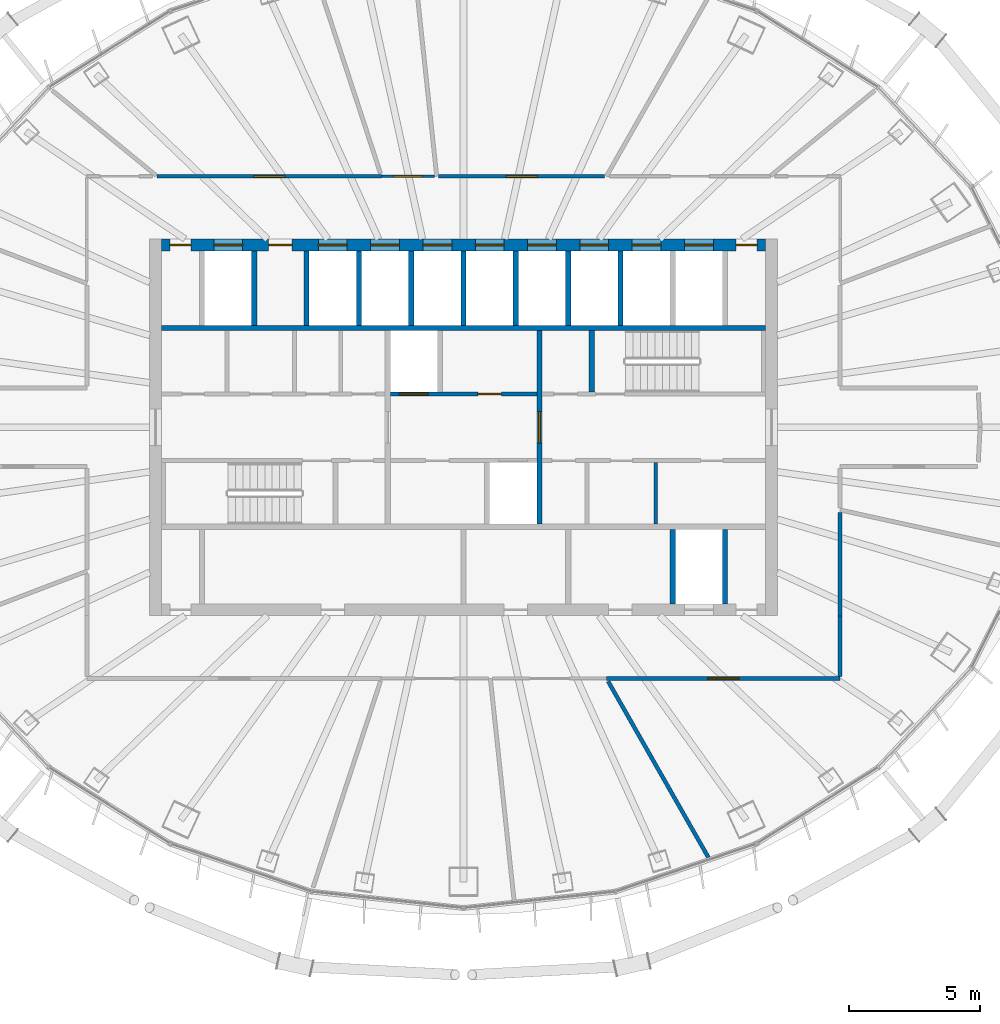
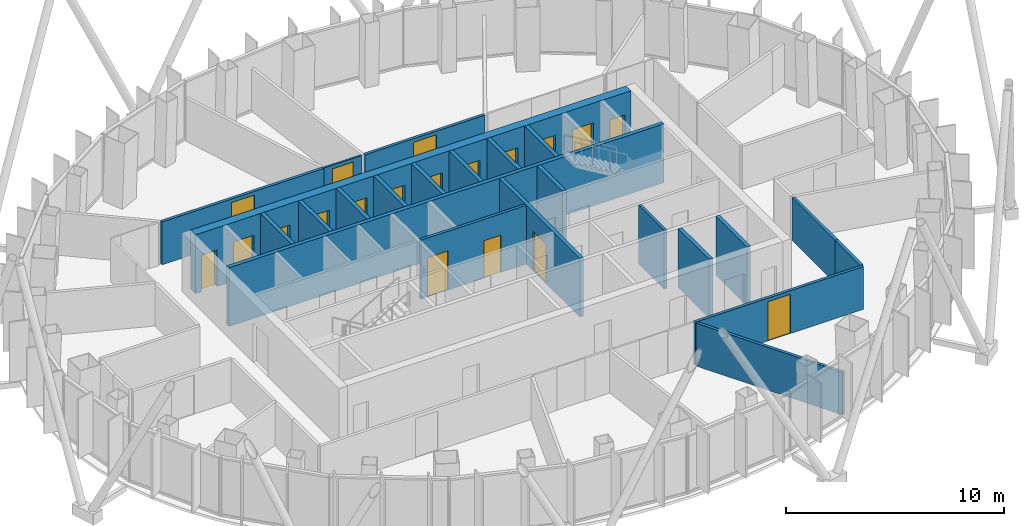
# One storey, part 10 of 18: 23 walls, 19 doors, 19 openings.
"""IFC4 building model written with IfcOpenShell, lengths in metres."""

from ifc_helpers import new_model, si_unit, direction, frame, frame_2d, origin, place, context, subcontext, project, spatial, rectangle, extrude, material, layer, layer_set, type_object, element, fill, save


model = new_model("IFC4")

# Units and contexts
model_context = context("Model", 3, precision=1e-05, world=origin(), true_north=direction((0.0, 1.0)))
body_context = subcontext(model_context, "Body", "Model", "MODEL_VIEW")
ifc_project = project(units=[si_unit("LENGTHUNIT", "METRE"), si_unit("AREAUNIT", "SQUARE_METRE"), si_unit("VOLUMEUNIT", "CUBIC_METRE"), si_unit("PLANEANGLEUNIT", "RADIAN"), si_unit("MASSUNIT", "GRAM", prefix="KILO")], contexts=[model_context])

# Site, building, storey
site_placement = place(None, origin())
site = spatial("IfcSite", under=ifc_project, at=site_placement, CompositionType="ELEMENT")
building_placement = place(site_placement, origin())
building = spatial("IfcBuilding", under=site, at=building_placement, Name="Siaravel Broadcast Tower", CompositionType="ELEMENT")
storey_placement = place(building_placement, frame((0.0, 0.0, 201.5)))
storey = spatial("IfcBuildingStorey", under=building, at=storey_placement, Name="L49", CompositionType="ELEMENT", Elevation=201.5)

# Wall
ifc_material_1 = material(Name="Concrete blockwork", Category="masonry")
ifc_layer_1 = layer(ifc_material_1, 0.14990234375)
ifc_layer_set_1 = layer_set([ifc_layer_1], Name="Concrete blockwork")
wall_type_1 = type_object("IfcWallType", Name="Core partition 150", PredefinedType="PARTITIONING", material=ifc_layer_set_1)
wall_1_placement = place(storey_placement, frame((7.35009765625, -3.699951171875, 0.0), z_axis=(0.0, 0.0, 1.0), x_axis=(0.0, 1.0, 0.0)))
element("IfcWall", 1, at=wall_1_placement, inside=storey, type_object=wall_type_1, Name="L49 core partition PSE1", PredefinedType="PARTITIONING", context=body_context, shape_type="SweptSolid", body=[
    extrude(rectangle(XDim=2.349853515625, YDim=0.14990234375, at=frame_2d((1.1748046875, 0.0))), origin(), (0.0, 0.0, 1.0), 3.300048828125),
])

# Wall, openings, doors
ifc_material_2 = material(Name="Concrete C60/75", Category="concrete")
ifc_layer_2 = layer(ifc_material_2, 0.449951171875)
ifc_layer_set_2 = layer_set([ifc_layer_2], Name="Concrete C60/75")
wall_type_2 = type_object("IfcWallType", Name="Core wall 450", PredefinedType="SHEAR", material=ifc_layer_set_2)
wall_2_placement = place(storey_placement, frame((-11.550048828125, 6.97509765625, 0.0), z_axis=(0.0, 0.0, 1.0), x_axis=(1.0, 0.0, 0.0)))
wall_2 = element("IfcWall", 2, at=wall_2_placement, inside=storey, type_object=wall_type_2, Name="L49 core wall ON", PredefinedType="SHEAR", context=body_context, shape_type="SweptSolid", body=[
    extrude(rectangle(XDim=23.10009765625, YDim=0.449951171875, at=frame_2d((11.550048828125, 0.0))), origin(), (0.0, 0.0, 1.0), 3.300048828125),
])
opening_1_placement = place(wall_2_placement, frame((2.0, 0.0, 0.0)))
opening_1 = element("IfcOpeningElement", 3, at=opening_1_placement, cuts=wall_2, Name="Opening LD-SV2-L49", PredefinedType="OPENING", context=body_context, shape_type="SweptSolid", body=[
    extrude(rectangle(XDim=1.10009765625, YDim=2.199951171875, at=frame_2d((0.550048828125, 1.10009765625))), frame((0.0, 0.23486328125, 0.0), z_axis=(0.0, -1.0, 0.0), x_axis=(1.0, 0.0, 0.0)), (0.0, 0.0, 1.0), 0.469970703125),
])
opening_2_placement = place(wall_2_placement, frame((6.0, 0.0, 0.0)))
opening_2 = element("IfcOpeningElement", 4, at=opening_2_placement, cuts=wall_2, Name="Opening LD-HP1-L49", PredefinedType="OPENING", context=body_context, shape_type="SweptSolid", body=[
    extrude(rectangle(XDim=1.10009765625, YDim=2.199951171875, at=frame_2d((0.550048828125, 1.10009765625))), frame((0.0, 0.23486328125, 0.0), z_axis=(0.0, -1.0, 0.0), x_axis=(1.0, 0.0, 0.0)), (0.0, 0.0, 1.0), 0.469970703125),
])
opening_3_placement = place(wall_2_placement, frame((8.0, 0.0, 0.0)))
opening_3 = element("IfcOpeningElement", 5, at=opening_3_placement, cuts=wall_2, Name="Opening LD-HP2-L49", PredefinedType="OPENING", context=body_context, shape_type="SweptSolid", body=[
    extrude(rectangle(XDim=1.10009765625, YDim=2.199951171875, at=frame_2d((0.550048828125, 1.10009765625))), frame((0.0, 0.23486328125, 0.0), z_axis=(0.0, -1.0, 0.0), x_axis=(1.0, 0.0, 0.0)), (0.0, 0.0, 1.0), 0.469970703125),
])
opening_4_placement = place(wall_2_placement, frame((10.0, 0.0, 0.0)))
opening_4 = element("IfcOpeningElement", 6, at=opening_4_placement, cuts=wall_2, Name="Opening LD-HP3-L49", PredefinedType="OPENING", context=body_context, shape_type="SweptSolid", body=[
    extrude(rectangle(XDim=1.10009765625, YDim=2.199951171875, at=frame_2d((0.550048828125, 1.10009765625))), frame((0.0, 0.23486328125, 0.0), z_axis=(0.0, -1.0, 0.0), x_axis=(1.0, 0.0, 0.0)), (0.0, 0.0, 1.0), 0.469970703125),
])
opening_5_placement = place(wall_2_placement, frame((12.0, 0.0, 0.0)))
opening_5 = element("IfcOpeningElement", 7, at=opening_5_placement, cuts=wall_2, Name="Opening LD-HP4-L49", PredefinedType="OPENING", context=body_context, shape_type="SweptSolid", body=[
    extrude(rectangle(XDim=1.10009765625, YDim=2.199951171875, at=frame_2d((0.550048828125, 1.10009765625))), frame((0.0, 0.23486328125, 0.0), z_axis=(0.0, -1.0, 0.0), x_axis=(1.0, 0.0, 0.0)), (0.0, 0.0, 1.0), 0.469970703125),
])
opening_6_placement = place(wall_2_placement, frame((14.0, 0.0, 0.0)))
opening_6 = element("IfcOpeningElement", 8, at=opening_6_placement, cuts=wall_2, Name="Opening LD-HP5-L49", PredefinedType="OPENING", context=body_context, shape_type="SweptSolid", body=[
    extrude(rectangle(XDim=1.10009765625, YDim=2.199951171875, at=frame_2d((0.550048828125, 1.10009765625))), frame((0.0, 0.23486328125, 0.0), z_axis=(0.0, -1.0, 0.0), x_axis=(1.0, 0.0, 0.0)), (0.0, 0.0, 1.0), 0.469970703125),
])
opening_7_placement = place(wall_2_placement, frame((16.0, 0.0, 0.0)))
opening_7 = element("IfcOpeningElement", 9, at=opening_7_placement, cuts=wall_2, Name="Opening LD-HP6-L49", PredefinedType="OPENING", context=body_context, shape_type="SweptSolid", body=[
    extrude(rectangle(XDim=1.10009765625, YDim=2.199951171875, at=frame_2d((0.550048828125, 1.10009765625))), frame((0.0, 0.23486328125, 0.0), z_axis=(0.0, -1.0, 0.0), x_axis=(1.0, 0.0, 0.0)), (0.0, 0.0, 1.0), 0.469970703125),
])
opening_8_placement = place(wall_2_placement, frame((18.0, 0.0, 0.0)))
opening_8 = element("IfcOpeningElement", 10, at=opening_8_placement, cuts=wall_2, Name="Opening LD-HP7-L49", PredefinedType="OPENING", context=body_context, shape_type="SweptSolid", body=[
    extrude(rectangle(XDim=1.10009765625, YDim=2.199951171875, at=frame_2d((0.550048828125, 1.10009765625))), frame((0.0, 0.23486328125, 0.0), z_axis=(0.0, -1.0, 0.0), x_axis=(1.0, 0.0, 0.0)), (0.0, 0.0, 1.0), 0.469970703125),
])
opening_9_placement = place(wall_2_placement, frame((20.0, 0.0, 0.0)))
opening_9 = element("IfcOpeningElement", 11, at=opening_9_placement, cuts=wall_2, Name="Opening LD-HP8-L49", PredefinedType="OPENING", context=body_context, shape_type="SweptSolid", body=[
    extrude(rectangle(XDim=1.10009765625, YDim=2.199951171875, at=frame_2d((0.550048828125, 1.10009765625))), frame((0.0, 0.23486328125, 0.0), z_axis=(0.0, -1.0, 0.0), x_axis=(1.0, 0.0, 0.0)), (0.0, 0.0, 1.0), 0.469970703125),
])
opening_10_placement = place(wall_2_placement, frame((4.10009765625, 0.0, 0.0)))
opening_10 = element("IfcOpeningElement", 12, at=opening_10_placement, cuts=wall_2, Name="Opening L49-DFN1", PredefinedType="OPENING", context=body_context, shape_type="SweptSolid", body=[
    extrude(rectangle(XDim=0.89990234375, YDim=2.10009765625, at=frame_2d((0.449951171875, 1.050048828125))), frame((0.0, 0.23486328125, 0.0), z_axis=(0.0, -1.0, 0.0), x_axis=(1.0, 0.0, 0.0)), (0.0, 0.0, 1.0), 0.469970703125),
])
opening_11_placement = place(wall_2_placement, frame((0.324951171875, 0.0, 0.0)))
opening_11 = element("IfcOpeningElement", 13, at=opening_11_placement, cuts=wall_2, Name="Opening L49-DRNW", PredefinedType="OPENING", context=body_context, shape_type="SweptSolid", body=[
    extrude(rectangle(XDim=0.800048828125, YDim=2.050048828125, at=frame_2d((0.39990234375, 1.02490234375))), frame((0.0, 0.23486328125, 0.0), z_axis=(0.0, -1.0, 0.0), x_axis=(1.0, 0.0, 0.0)), (0.0, 0.0, 1.0), 0.469970703125),
])
opening_12_placement = place(wall_2_placement, frame((21.97509765625, 0.0, 0.0)))
opening_12 = element("IfcOpeningElement", 14, at=opening_12_placement, cuts=wall_2, Name="Opening L49-DRNE", PredefinedType="OPENING", context=body_context, shape_type="SweptSolid", body=[
    extrude(rectangle(XDim=0.800048828125, YDim=2.050048828125, at=frame_2d((0.39990234375, 1.02490234375))), frame((0.0, 0.23486328125, 0.0), z_axis=(0.0, -1.0, 0.0), x_axis=(1.0, 0.0, 0.0)), (0.0, 0.0, 1.0), 0.469970703125),
])
ifc_material_3 = material(Name="Timber veneer", Category="wood")
door_type_1 = type_object("IfcDoorType", Name="Core room door 900", OperationType="SINGLE_SWING_LEFT", PredefinedType="DOOR", material=ifc_material_3)
door_1_placement = place(opening_10_placement, origin())
door_1 = element("IfcDoor", 15, at=door_1_placement, inside=storey, type_object=door_type_1, Name="L49 door DFN1", OperationType="SINGLE_SWING_LEFT", OverallHeight=2.10009765625, OverallWidth=0.89990234375, PredefinedType="DOOR", context=body_context, shape_type="SweptSolid", body=[
    extrude(rectangle(XDim=0.89990234375, YDim=2.10009765625, at=frame_2d((0.449951171875, 1.050048828125))), frame((0.0, 0.02490234375, 0.0), z_axis=(0.0, -1.0, 0.0), x_axis=(1.0, 0.0, 0.0)), (0.0, 0.0, 1.0), 0.050048828125),
])
fill(opening_10, door_1)
ifc_material_4 = material(Name="Stainless steel 316L", Category="steel")
door_type_2 = type_object("IfcDoorType", Name="Lift landing door 1100", OperationType="DOUBLE_DOOR_SLIDING", PredefinedType="DOOR", material=ifc_material_4)
door_2_placement = place(opening_2_placement, origin())
door_2 = element("IfcDoor", 16, at=door_2_placement, inside=storey, type_object=door_type_2, Name="Landing door HP1 L49", OperationType="DOUBLE_DOOR_SLIDING", OverallHeight=2.199951171875, OverallWidth=1.10009765625, PredefinedType="DOOR", context=body_context, shape_type="SweptSolid", body=[
    extrude(rectangle(XDim=1.10009765625, YDim=2.199951171875, at=frame_2d((0.550048828125, 1.10009765625))), frame((0.0, 0.02490234375, 0.0), z_axis=(0.0, -1.0, 0.0), x_axis=(1.0, 0.0, 0.0)), (0.0, 0.0, 1.0), 0.050048828125),
])
fill(opening_2, door_2)
door_3_placement = place(opening_3_placement, origin())
door_3 = element("IfcDoor", 17, at=door_3_placement, inside=storey, type_object=door_type_2, Name="Landing door HP2 L49", OperationType="DOUBLE_DOOR_SLIDING", OverallHeight=2.199951171875, OverallWidth=1.10009765625, PredefinedType="DOOR", context=body_context, shape_type="SweptSolid", body=[
    extrude(rectangle(XDim=1.10009765625, YDim=2.199951171875, at=frame_2d((0.550048828125, 1.10009765625))), frame((0.0, 0.02490234375, 0.0), z_axis=(0.0, -1.0, 0.0), x_axis=(1.0, 0.0, 0.0)), (0.0, 0.0, 1.0), 0.050048828125),
])
fill(opening_3, door_3)
door_4_placement = place(opening_4_placement, origin())
door_4 = element("IfcDoor", 18, at=door_4_placement, inside=storey, type_object=door_type_2, Name="Landing door HP3 L49", OperationType="DOUBLE_DOOR_SLIDING", OverallHeight=2.199951171875, OverallWidth=1.10009765625, PredefinedType="DOOR", context=body_context, shape_type="SweptSolid", body=[
    extrude(rectangle(XDim=1.10009765625, YDim=2.199951171875, at=frame_2d((0.550048828125, 1.10009765625))), frame((0.0, 0.02490234375, 0.0), z_axis=(0.0, -1.0, 0.0), x_axis=(1.0, 0.0, 0.0)), (0.0, 0.0, 1.0), 0.050048828125),
])
fill(opening_4, door_4)
door_5_placement = place(opening_5_placement, origin())
door_5 = element("IfcDoor", 19, at=door_5_placement, inside=storey, type_object=door_type_2, Name="Landing door HP4 L49", OperationType="DOUBLE_DOOR_SLIDING", OverallHeight=2.199951171875, OverallWidth=1.10009765625, PredefinedType="DOOR", context=body_context, shape_type="SweptSolid", body=[
    extrude(rectangle(XDim=1.10009765625, YDim=2.199951171875, at=frame_2d((0.550048828125, 1.10009765625))), frame((0.0, 0.02490234375, 0.0), z_axis=(0.0, -1.0, 0.0), x_axis=(1.0, 0.0, 0.0)), (0.0, 0.0, 1.0), 0.050048828125),
])
fill(opening_5, door_5)
door_6_placement = place(opening_6_placement, origin())
door_6 = element("IfcDoor", 20, at=door_6_placement, inside=storey, type_object=door_type_2, Name="Landing door HP5 L49", OperationType="DOUBLE_DOOR_SLIDING", OverallHeight=2.199951171875, OverallWidth=1.10009765625, PredefinedType="DOOR", context=body_context, shape_type="SweptSolid", body=[
    extrude(rectangle(XDim=1.10009765625, YDim=2.199951171875, at=frame_2d((0.550048828125, 1.10009765625))), frame((0.0, 0.02490234375, 0.0), z_axis=(0.0, -1.0, 0.0), x_axis=(1.0, 0.0, 0.0)), (0.0, 0.0, 1.0), 0.050048828125),
])
fill(opening_6, door_6)
door_7_placement = place(opening_7_placement, origin())
door_7 = element("IfcDoor", 21, at=door_7_placement, inside=storey, type_object=door_type_2, Name="Landing door HP6 L49", OperationType="DOUBLE_DOOR_SLIDING", OverallHeight=2.199951171875, OverallWidth=1.10009765625, PredefinedType="DOOR", context=body_context, shape_type="SweptSolid", body=[
    extrude(rectangle(XDim=1.10009765625, YDim=2.199951171875, at=frame_2d((0.550048828125, 1.10009765625))), frame((0.0, 0.02490234375, 0.0), z_axis=(0.0, -1.0, 0.0), x_axis=(1.0, 0.0, 0.0)), (0.0, 0.0, 1.0), 0.050048828125),
])
fill(opening_7, door_7)
door_8_placement = place(opening_8_placement, origin())
door_8 = element("IfcDoor", 22, at=door_8_placement, inside=storey, type_object=door_type_2, Name="Landing door HP7 L49", OperationType="DOUBLE_DOOR_SLIDING", OverallHeight=2.199951171875, OverallWidth=1.10009765625, PredefinedType="DOOR", context=body_context, shape_type="SweptSolid", body=[
    extrude(rectangle(XDim=1.10009765625, YDim=2.199951171875, at=frame_2d((0.550048828125, 1.10009765625))), frame((0.0, 0.02490234375, 0.0), z_axis=(0.0, -1.0, 0.0), x_axis=(1.0, 0.0, 0.0)), (0.0, 0.0, 1.0), 0.050048828125),
])
fill(opening_8, door_8)
door_9_placement = place(opening_9_placement, origin())
door_9 = element("IfcDoor", 23, at=door_9_placement, inside=storey, type_object=door_type_2, Name="Landing door HP8 L49", OperationType="DOUBLE_DOOR_SLIDING", OverallHeight=2.199951171875, OverallWidth=1.10009765625, PredefinedType="DOOR", context=body_context, shape_type="SweptSolid", body=[
    extrude(rectangle(XDim=1.10009765625, YDim=2.199951171875, at=frame_2d((0.550048828125, 1.10009765625))), frame((0.0, 0.02490234375, 0.0), z_axis=(0.0, -1.0, 0.0), x_axis=(1.0, 0.0, 0.0)), (0.0, 0.0, 1.0), 0.050048828125),
])
fill(opening_9, door_9)
ifc_material_5 = material(Name="Steel", Category="steel")
door_type_3 = type_object("IfcDoorType", Name="Riser door 800", OperationType="SINGLE_SWING_LEFT", PredefinedType="DOOR", material=ifc_material_5)
door_10_placement = place(opening_11_placement, origin())
door_10 = element("IfcDoor", 24, at=door_10_placement, inside=storey, type_object=door_type_3, Name="L49 door DRNW", OperationType="SINGLE_SWING_LEFT", OverallHeight=2.050048828125, OverallWidth=0.800048828125, PredefinedType="DOOR", context=body_context, shape_type="SweptSolid", body=[
    extrude(rectangle(XDim=0.800048828125, YDim=2.050048828125, at=frame_2d((0.39990234375, 1.02490234375))), frame((0.0, 0.02490234375, 0.0), z_axis=(0.0, -1.0, 0.0), x_axis=(1.0, 0.0, 0.0)), (0.0, 0.0, 1.0), 0.050048828125),
])
fill(opening_11, door_10)
door_11_placement = place(opening_12_placement, origin())
door_11 = element("IfcDoor", 25, at=door_11_placement, inside=storey, type_object=door_type_3, Name="L49 door DRNE", OperationType="SINGLE_SWING_LEFT", OverallHeight=2.050048828125, OverallWidth=0.800048828125, PredefinedType="DOOR", context=body_context, shape_type="SweptSolid", body=[
    extrude(rectangle(XDim=0.800048828125, YDim=2.050048828125, at=frame_2d((0.39990234375, 1.02490234375))), frame((0.0, 0.02490234375, 0.0), z_axis=(0.0, -1.0, 0.0), x_axis=(1.0, 0.0, 0.0)), (0.0, 0.0, 1.0), 0.050048828125),
])
fill(opening_12, door_11)
door_type_4 = type_object("IfcDoorType", Name="Service lift landing door 1100", OperationType="DOUBLE_DOOR_SLIDING", PredefinedType="DOOR", material=ifc_material_4)
door_12_placement = place(opening_1_placement, origin())
door_12 = element("IfcDoor", 26, at=door_12_placement, inside=storey, type_object=door_type_4, Name="Landing door SV2 L49", OperationType="DOUBLE_DOOR_SLIDING", OverallHeight=2.199951171875, OverallWidth=1.10009765625, PredefinedType="DOOR", context=body_context, shape_type="SweptSolid", body=[
    extrude(rectangle(XDim=1.10009765625, YDim=2.199951171875, at=frame_2d((0.550048828125, 1.10009765625))), frame((0.0, 0.02490234375, 0.0), z_axis=(0.0, -1.0, 0.0), x_axis=(1.0, 0.0, 0.0)), (0.0, 0.0, 1.0), 0.050048828125),
])
fill(opening_1, door_12)

# Wall, opening, door
ifc_material_6 = material(Name="Gypsum board partition", Category="gypsum")
ifc_layer_3 = layer(ifc_material_6, 0.14990234375)
ifc_layer_set_3 = layer_set([ifc_layer_3], Name="Gypsum board partition")
wall_type_3 = type_object("IfcWallType", Name="Corridor wall 150", PredefinedType="PARTITIONING", material=ifc_layer_set_3)
wall_3_placement = place(storey_placement, frame((5.465087890625, -9.60009765625, 0.0), z_axis=(0.0, 0.0, 1.0), x_axis=(1.0, 0.0, 0.0)))
wall_3 = element("IfcWall", 27, at=wall_3_placement, inside=storey, type_object=wall_type_3, Name="L49 partition 2", PredefinedType="PARTITIONING", context=body_context, shape_type="SweptSolid", body=[
    extrude(rectangle(XDim=8.934814453125, YDim=0.14990234375, at=frame_2d((4.46728515625, 0.0))), origin(), (0.0, 0.0, 1.0), 2.39990234375),
])
opening_13_placement = place(wall_3_placement, frame((3.867431640625, 0.0, 0.0)))
opening_13 = element("IfcOpeningElement", 28, at=opening_13_placement, cuts=wall_3, Name="Opening L49-007", PredefinedType="OPENING", context=body_context, shape_type="SweptSolid", body=[
    extrude(rectangle(XDim=1.199951171875, YDim=2.199951171875, at=frame_2d((0.60009765625, 1.10009765625))), frame((0.0, 0.0849609375, 0.0), z_axis=(0.0, -1.0, 0.0), x_axis=(1.0, 0.0, 0.0)), (0.0, 0.0, 1.0), 0.169921875),
])
door_type_5 = type_object("IfcDoorType", Name="Office double door 1200", OperationType="DOUBLE_DOOR_SINGLE_SWING", PredefinedType="DOOR", material=ifc_material_3)
door_13_placement = place(opening_13_placement, origin())
door_13 = element("IfcDoor", 29, at=door_13_placement, inside=storey, type_object=door_type_5, Name="L49 door to Open plan office", OperationType="DOUBLE_DOOR_SINGLE_SWING", OverallHeight=2.199951171875, OverallWidth=1.199951171875, PredefinedType="DOOR", context=body_context, shape_type="SweptSolid", body=[
    extrude(rectangle(XDim=1.199951171875, YDim=2.199951171875, at=frame_2d((0.60009765625, 1.10009765625))), frame((0.0, 0.02490234375, 0.0), z_axis=(0.0, -1.0, 0.0), x_axis=(1.0, 0.0, 0.0)), (0.0, 0.0, 1.0), 0.050048828125),
])
fill(opening_13, door_13)

wall_4_placement = place(storey_placement, frame((-3.140380859375, 9.60009765625, 0.0), z_axis=(0.0, 0.0, 1.0), x_axis=(-1.0, 0.0, 0.0)))
wall_4 = element("IfcWall", 30, at=wall_4_placement, inside=storey, type_object=wall_type_3, Name="L49 partition 5", PredefinedType="PARTITIONING", context=body_context, shape_type="SweptSolid", body=[
    extrude(rectangle(XDim=8.57958984375, YDim=0.14990234375, at=frame_2d((4.289794921875, 0.0))), origin(), (0.0, 0.0, 1.0), 2.39990234375),
])
opening_14_placement = place(wall_4_placement, frame((3.689697265625, 0.0, 0.0)))
opening_14 = element("IfcOpeningElement", 31, at=opening_14_placement, cuts=wall_4, Name="Opening L49-001", PredefinedType="OPENING", context=body_context, shape_type="SweptSolid", body=[
    extrude(rectangle(XDim=1.199951171875, YDim=2.199951171875, at=frame_2d((0.60009765625, 1.10009765625))), frame((0.0, 0.0849609375, 0.0), z_axis=(0.0, -1.0, 0.0), x_axis=(1.0, 0.0, 0.0)), (0.0, 0.0, 1.0), 0.169921875),
])
door_14_placement = place(opening_14_placement, origin())
door_14 = element("IfcDoor", 32, at=door_14_placement, inside=storey, type_object=door_type_5, Name="L49 door to Open plan office", OperationType="DOUBLE_DOOR_SINGLE_SWING", OverallHeight=2.199951171875, OverallWidth=1.199951171875, PredefinedType="DOOR", context=body_context, shape_type="SweptSolid", body=[
    extrude(rectangle(XDim=1.199951171875, YDim=2.199951171875, at=frame_2d((0.60009765625, 1.10009765625))), frame((0.0, 0.02490234375, 0.0), z_axis=(0.0, -1.0, 0.0), x_axis=(1.0, 0.0, 0.0)), (0.0, 0.0, 1.0), 0.050048828125),
])
fill(opening_14, door_14)

wall_5_placement = place(storey_placement, frame((5.39794921875, 9.60009765625, 0.0), z_axis=(0.0, 0.0, 1.0), x_axis=(-1.0, 0.0, 0.0)))
wall_5 = element("IfcWall", 33, at=wall_5_placement, inside=storey, type_object=wall_type_3, Name="L49 partition 11", PredefinedType="PARTITIONING", context=body_context, shape_type="SweptSolid", body=[
    extrude(rectangle(XDim=6.3466796875, YDim=0.14990234375, at=frame_2d((3.17333984375, 0.0))), origin(), (0.0, 0.0, 1.0), 2.39990234375),
])
opening_15_placement = place(wall_5_placement, frame((2.5732421875, 0.0, 0.0)))
opening_15 = element("IfcOpeningElement", 34, at=opening_15_placement, cuts=wall_5, Name="Opening L49-011", PredefinedType="OPENING", context=body_context, shape_type="SweptSolid", body=[
    extrude(rectangle(XDim=1.199951171875, YDim=2.199951171875, at=frame_2d((0.60009765625, 1.10009765625))), frame((0.0, 0.0849609375, 0.0), z_axis=(0.0, -1.0, 0.0), x_axis=(1.0, 0.0, 0.0)), (0.0, 0.0, 1.0), 0.169921875),
])
door_15_placement = place(opening_15_placement, origin())
door_15 = element("IfcDoor", 35, at=door_15_placement, inside=storey, type_object=door_type_5, Name="L49 door to Open plan office", OperationType="DOUBLE_DOOR_SINGLE_SWING", OverallHeight=2.199951171875, OverallWidth=1.199951171875, PredefinedType="DOOR", context=body_context, shape_type="SweptSolid", body=[
    extrude(rectangle(XDim=1.199951171875, YDim=2.199951171875, at=frame_2d((0.60009765625, 1.10009765625))), frame((0.0, 0.02490234375, 0.0), z_axis=(0.0, -1.0, 0.0), x_axis=(1.0, 0.0, 0.0)), (0.0, 0.0, 1.0), 0.050048828125),
])
fill(opening_15, door_15)

# Walls
wall_6_placement = place(storey_placement, frame((14.39990234375, -7.2119140625, 0.0), z_axis=(0.0, 0.0, 1.0), x_axis=(0.0, 1.0, 0.0)))
element("IfcWall", 36, at=wall_6_placement, inside=storey, type_object=wall_type_3, Name="L49 partition 24", PredefinedType="PARTITIONING", context=body_context, shape_type="SweptSolid", body=[
    extrude(rectangle(XDim=3.9560546875, YDim=0.14990234375, at=frame_2d((1.97802734375, 0.0))), origin(), (0.0, 0.0, 1.0), 2.39990234375),
])
wall_7_placement = place(storey_placement, frame((14.39990234375, -9.52294921875, 0.0), z_axis=(0.0, 0.0, 1.0), x_axis=(0.0, 1.0, 0.0)))
element("IfcWall", 37, at=wall_7_placement, inside=storey, type_object=wall_type_3, Name="L49 partition 32", PredefinedType="PARTITIONING", context=body_context, shape_type="SweptSolid", body=[
    extrude(rectangle(XDim=2.31005859375, YDim=0.14990234375, at=frame_2d((1.155029296875, 0.0))), origin(), (0.0, 0.0, 1.0), 2.39990234375),
])

# Wall, opening, door
ifc_material_7 = material(Name="Glazed aluminium partition", Category="aluminium")
ifc_layer_4 = layer(ifc_material_7, 0.10009765625)
ifc_layer_set_4 = layer_set([ifc_layer_4], Name="Glazed aluminium partition")
wall_type_4 = type_object("IfcWallType", Name="Glazed meeting room partition 100", PredefinedType="PARTITIONING", material=ifc_layer_set_4)
wall_8_placement = place(storey_placement, frame((-1.108154296875, 9.60009765625, 0.0), z_axis=(0.0, 0.0, 1.0), x_axis=(-1.0, 0.0, 0.0)))
wall_8 = element("IfcWall", 38, at=wall_8_placement, inside=storey, type_object=wall_type_4, Name="L49 partition 34", PredefinedType="PARTITIONING", context=body_context, shape_type="SweptSolid", body=[
    extrude(rectangle(XDim=2.03125, YDim=0.10009765625, at=frame_2d((1.015625, 0.0))), origin(), (0.0, 0.0, 1.0), 2.39990234375),
])
opening_16_placement = place(wall_8_placement, frame((0.465576171875, 0.0, 0.0)))
opening_16 = element("IfcOpeningElement", 39, at=opening_16_placement, cuts=wall_8, Name="Opening L49-012", PredefinedType="OPENING", context=body_context, shape_type="SweptSolid", body=[
    extrude(rectangle(XDim=1.10009765625, YDim=2.199951171875, at=frame_2d((0.550048828125, 1.10009765625))), frame((0.0, 0.06005859375, 0.0), z_axis=(0.0, -1.0, 0.0), x_axis=(1.0, 0.0, 0.0)), (0.0, 0.0, 1.0), 0.1201171875),
])
door_type_6 = type_object("IfcDoorType", Name="Meeting room door 1100", OperationType="SINGLE_SWING_LEFT", PredefinedType="DOOR", material=ifc_material_3)
door_16_placement = place(opening_16_placement, origin())
door_16 = element("IfcDoor", 40, at=door_16_placement, inside=storey, type_object=door_type_6, Name="L49 door to Meeting room", OperationType="SINGLE_SWING_RIGHT", OverallHeight=2.199951171875, OverallWidth=1.10009765625, PredefinedType="DOOR", context=body_context, shape_type="SweptSolid", body=[
    extrude(rectangle(XDim=1.10009765625, YDim=2.199951171875, at=frame_2d((0.550048828125, 1.10009765625))), frame((0.0, 0.02490234375, 0.0), z_axis=(0.0, -1.0, 0.0), x_axis=(1.0, 0.0, 0.0)), (0.0, 0.0, 1.0), 0.050048828125),
])
fill(opening_16, door_16)

# Wall
ifc_layer_5 = layer(ifc_material_6, 0.14990234375)
ifc_layer_set_5 = layer_set([ifc_layer_5], Name="Gypsum board partition")
wall_type_5 = type_object("IfcWallType", Name="Room partition 150", PredefinedType="PARTITIONING", material=ifc_layer_set_5)
wall_9_placement = place(storey_placement, frame((9.396728515625, -16.506591796875, 0.0), z_axis=(0.0, 0.0, 1.0), x_axis=(-0.494728872, 0.869047377, 0.0)))
element("IfcWall", 41, at=wall_9_placement, inside=storey, type_object=wall_type_5, Name="L49 partition 8", PredefinedType="PARTITIONING", context=body_context, shape_type="SweptSolid", body=[
    extrude(rectangle(XDim=7.81640625, YDim=0.14990234375, at=frame_2d((3.908203125, 0.0))), origin(), (0.0, 0.0, 1.0), 2.39990234375),
])

# Wall, openings, doors
ifc_layer_6 = layer(ifc_material_2, 0.14990234375)
ifc_layer_set_6 = layer_set([ifc_layer_6], Name="Concrete C60/75")
wall_type_6 = type_object("IfcWallType", Name="Shaft wall 150", PredefinedType="SHEAR", material=ifc_layer_set_6)
wall_10_placement = place(storey_placement, frame((-2.800048828125, 1.27490234375, 0.0), z_axis=(0.0, 0.0, 1.0), x_axis=(1.0, 0.0, 0.0)))
wall_10 = element("IfcWall", 42, at=wall_10_placement, inside=storey, type_object=wall_type_6, Name="L49 core wall CNM", PredefinedType="SHEAR", context=body_context, shape_type="SweptSolid", body=[
    extrude(rectangle(XDim=5.60009765625, YDim=0.14990234375, at=frame_2d((2.800048828125, 0.0))), origin(), (0.0, 0.0, 1.0), 3.300048828125),
])
opening_17_placement = place(wall_10_placement, frame((0.35009765625, 0.0, 0.0)))
opening_17 = element("IfcOpeningElement", 43, at=opening_17_placement, cuts=wall_10, Name="Opening LD-FL1-L49", PredefinedType="OPENING", context=body_context, shape_type="SweptSolid", body=[
    extrude(rectangle(XDim=1.10009765625, YDim=2.199951171875, at=frame_2d((0.550048828125, 1.10009765625))), frame((0.0, 0.0849609375, 0.0), z_axis=(0.0, -1.0, 0.0), x_axis=(1.0, 0.0, 0.0)), (0.0, 0.0, 1.0), 0.169921875),
])
opening_18_placement = place(wall_10_placement, frame((3.35009765625, 0.0, 0.0)))
opening_18 = element("IfcOpeningElement", 44, at=opening_18_placement, cuts=wall_10, Name="Opening L49-DNM0", PredefinedType="OPENING", context=body_context, shape_type="SweptSolid", body=[
    extrude(rectangle(XDim=0.89990234375, YDim=2.10009765625, at=frame_2d((0.449951171875, 1.050048828125))), frame((0.0, 0.0849609375, 0.0), z_axis=(0.0, -1.0, 0.0), x_axis=(1.0, 0.0, 0.0)), (0.0, 0.0, 1.0), 0.169921875),
])
door_17_placement = place(opening_18_placement, origin())
door_17 = element("IfcDoor", 45, at=door_17_placement, inside=storey, type_object=door_type_1, Name="L49 door DNM0", OperationType="SINGLE_SWING_LEFT", OverallHeight=2.10009765625, OverallWidth=0.89990234375, PredefinedType="DOOR", context=body_context, shape_type="SweptSolid", body=[
    extrude(rectangle(XDim=0.89990234375, YDim=2.10009765625, at=frame_2d((0.449951171875, 1.050048828125))), frame((0.0, 0.02490234375, 0.0), z_axis=(0.0, -1.0, 0.0), x_axis=(1.0, 0.0, 0.0)), (0.0, 0.0, 1.0), 0.050048828125),
])
fill(opening_18, door_17)
door_type_7 = type_object("IfcDoorType", Name="Firefighting lift landing door 1100", OperationType="DOUBLE_DOOR_SLIDING", PredefinedType="DOOR", material=ifc_material_4)
door_18_placement = place(opening_17_placement, origin())
door_18 = element("IfcDoor", 46, at=door_18_placement, inside=storey, type_object=door_type_7, Name="Landing door FL1 L49", OperationType="DOUBLE_DOOR_SLIDING", OverallHeight=2.199951171875, OverallWidth=1.10009765625, PredefinedType="DOOR", context=body_context, shape_type="SweptSolid", body=[
    extrude(rectangle(XDim=1.10009765625, YDim=2.199951171875, at=frame_2d((0.550048828125, 1.10009765625))), frame((0.0, 0.02490234375, 0.0), z_axis=(0.0, -1.0, 0.0), x_axis=(1.0, 0.0, 0.0)), (0.0, 0.0, 1.0), 0.050048828125),
])
fill(opening_17, door_18)

# Walls
ifc_layer_7 = layer(ifc_material_2, 0.199951171875)
ifc_layer_set_7 = layer_set([ifc_layer_7], Name="Concrete C60/75")
wall_type_7 = type_object("IfcWallType", Name="Shaft wall 200", PredefinedType="SHEAR", material=ifc_layer_set_7)
wall_11_placement = place(storey_placement, frame((-11.550048828125, 3.800048828125, 0.0), z_axis=(0.0, 0.0, 1.0), x_axis=(1.0, 0.0, 0.0)))
element("IfcWall", 47, at=wall_11_placement, inside=storey, type_object=wall_type_7, Name="L49 core wall BN", PredefinedType="SHEAR", context=body_context, shape_type="SweptSolid", body=[
    extrude(rectangle(XDim=23.10009765625, YDim=0.199951171875, at=frame_2d((11.550048828125, 0.0))), origin(), (0.0, 0.0, 1.0), 3.300048828125),
])
for number, where, z_axis, x_axis, name in (
    (48, (8.0, -6.75, 0.0), (0.0, 0.0, 1.0), (0.0, 1.0, 0.0), "L49 core wall SWS9"),
    (49, (10.0, -6.75, 0.0), (0.0, 0.0, 1.0), (0.0, 1.0, 0.0), "L49 core wall SWS10"),
    (50, (-8.0, 3.89990234375, 0.0), (0.0, 0.0, 1.0), (0.0, 1.0, 0.0), "L49 core wall SWN1"),
    (51, (-6.0, 3.89990234375, 0.0), (0.0, 0.0, 1.0), (0.0, 1.0, 0.0), "L49 core wall SWN2"),
    (52, (-4.0, 3.89990234375, 0.0), (0.0, 0.0, 1.0), (0.0, 1.0, 0.0), "L49 core wall SWN3"),
    (53, (-2.0, 3.89990234375, 0.0), (0.0, 0.0, 1.0), (0.0, 1.0, 0.0), "L49 core wall SWN4"),
    (54, (0.0, 3.89990234375, 0.0), (0.0, 0.0, 1.0), (0.0, 1.0, 0.0), "L49 core wall SWN5"),
    (55, (2.0, 3.89990234375, 0.0), (0.0, 0.0, 1.0), (0.0, 1.0, 0.0), "L49 core wall SWN6"),
    (56, (4.0, 3.89990234375, 0.0), (0.0, 0.0, 1.0), (0.0, 1.0, 0.0), "L49 core wall SWN7"),
    (57, (6.0, 3.89990234375, 0.0), (0.0, 0.0, 1.0), (0.0, 1.0, 0.0), "L49 core wall SWN8"),
):
    element("IfcWall", number, at=place(storey_placement, frame(where, z_axis=z_axis, x_axis=x_axis)), inside=storey, type_object=wall_type_7, Name=name, PredefinedType="SHEAR", context=body_context, shape_type="SweptSolid", body=[
        extrude(rectangle(XDim=2.85009765625, YDim=0.199951171875, at=frame_2d((1.425048828125, 0.0))), origin(), (0.0, 0.0, 1.0), 3.300048828125),
    ])

# Wall, opening, door
wall_12_placement = place(storey_placement, frame((2.89990234375, -3.699951171875, 0.0), z_axis=(0.0, 0.0, 1.0), x_axis=(0.0, 1.0, 0.0)))
wall_12 = element("IfcWall", 58, at=wall_12_placement, inside=storey, type_object=wall_type_7, Name="L49 core wall LE", PredefinedType="SHEAR", context=body_context, shape_type="SweptSolid", body=[
    extrude(rectangle(XDim=7.39990234375, YDim=0.199951171875, at=frame_2d((3.699951171875, 0.0))), origin(), (0.0, 0.0, 1.0), 3.300048828125),
])
opening_19_placement = place(wall_12_placement, frame((3.10009765625, 0.0, 0.0)))
opening_19 = element("IfcOpeningElement", 59, at=opening_19_placement, cuts=wall_12, Name="Opening L49-DL-E", PredefinedType="OPENING", context=body_context, shape_type="SweptSolid", body=[
    extrude(rectangle(XDim=1.199951171875, YDim=2.199951171875, at=frame_2d((0.60009765625, 1.10009765625))), frame((0.0, 0.10986328125, 0.0), z_axis=(0.0, -1.0, 0.0), x_axis=(1.0, 0.0, 0.0)), (0.0, 0.0, 1.0), 0.219970703125),
])
door_type_8 = type_object("IfcDoorType", Name="Firefighting lobby door 1200", OperationType="SINGLE_SWING_LEFT", PredefinedType="DOOR", material=ifc_material_5)
door_19_placement = place(opening_19_placement, origin())
door_19 = element("IfcDoor", 60, at=door_19_placement, inside=storey, type_object=door_type_8, Name="L49 door DL-E", OperationType="SINGLE_SWING_LEFT", OverallHeight=2.199951171875, OverallWidth=1.199951171875, PredefinedType="DOOR", context=body_context, shape_type="SweptSolid", body=[
    extrude(rectangle(XDim=1.199951171875, YDim=2.199951171875, at=frame_2d((0.60009765625, 1.10009765625))), frame((0.0, 0.02490234375, 0.0), z_axis=(0.0, -1.0, 0.0), x_axis=(1.0, 0.0, 0.0)), (0.0, 0.0, 1.0), 0.050048828125),
])
fill(opening_19, door_19)

# Wall
wall_13_placement = place(storey_placement, frame((4.89990234375, 1.35009765625, 0.0), z_axis=(0.0, 0.0, 1.0), x_axis=(0.0, 1.0, 0.0)))
element("IfcWall", 61, at=wall_13_placement, inside=storey, type_object=wall_type_7, Name="L49 core wall ST2W", PredefinedType="SHEAR", context=body_context, shape_type="SweptSolid", body=[
    extrude(rectangle(XDim=2.349853515625, YDim=0.199951171875, at=frame_2d((1.1748046875, 0.0))), origin(), (0.0, 0.0, 1.0), 3.300048828125),
])

save(model, "model.ifc")
